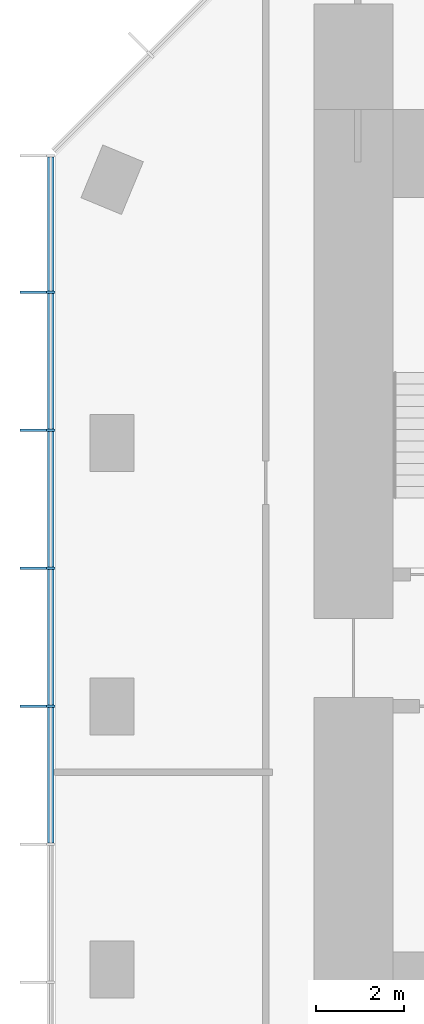
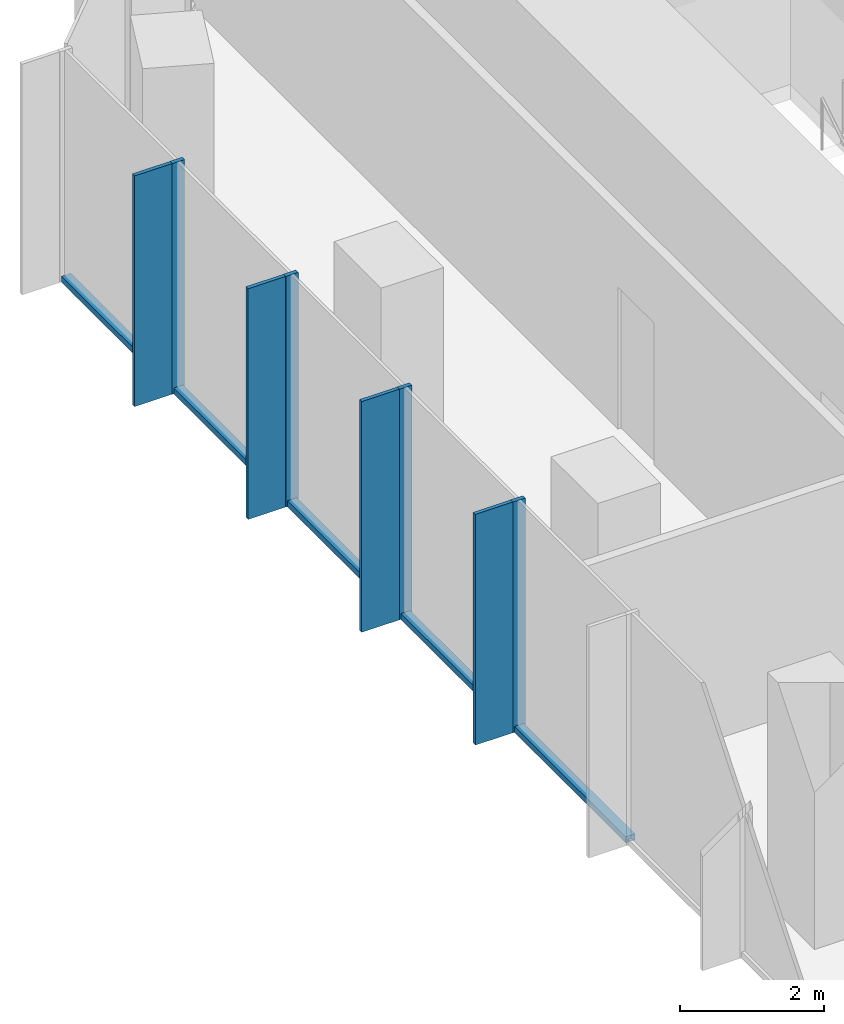
# One storey, part 3 of 11: 13 members, 1 element without a shape of its own.
"""IFC4 building model written with IfcOpenShell, lengths in metres."""

from ifc_helpers import new_model, si_unit, direction, frame, origin, origin_2d, place, context, subcontext, project, spatial, rectangle, extrude, material, layer, layer_set, material_profile, profile_set, type_object, element, aggregate, save


model = new_model("IFC4")

# Units and contexts
model_context = context("Model", 3, precision=1e-05, world=origin(), true_north=direction((0.0, 1.0)))
body_context = subcontext(model_context, "Body", "Model", "MODEL_VIEW")
ifc_project = project(units=[si_unit("LENGTHUNIT", "METRE"), si_unit("AREAUNIT", "SQUARE_METRE"), si_unit("VOLUMEUNIT", "CUBIC_METRE"), si_unit("PLANEANGLEUNIT", "RADIAN"), si_unit("MASSUNIT", "GRAM", prefix="KILO")], contexts=[model_context])

# Site, building, storey
site_placement = place(None, origin())
site = spatial("IfcSite", under=ifc_project, at=site_placement, CompositionType="ELEMENT")
building_placement = place(site_placement, origin())
building = spatial("IfcBuilding", under=site, at=building_placement, Name="Highveld Stack Headquarters", CompositionType="ELEMENT")
storey_placement = place(building_placement, frame((0.0, 0.0, 280.10009765625)))
storey = spatial("IfcBuildingStorey", under=building, at=storey_placement, Name="L69", CompositionType="ELEMENT", Elevation=280.10009765625)

# Curtain wall, members
ifc_material_1 = material(Name="Aluminium bronze anodised", Category="aluminium")
ifc_layer = layer(ifc_material_1, 0.199951171875)
ifc_layer_set = layer_set([ifc_layer], Name="Aluminium bronze anodised")
curtain_wall_type = type_object("IfcCurtainWallType", Name="CW5 EXECUTIVE UNITISED CURTAIN WALL", PredefinedType="NOTDEFINED", material=ifc_layer_set)
curtain_wall_placement = place(storey_placement, origin())
curtain_wall = element("IfcCurtainWall", 1, at=curtain_wall_placement, inside=storey, type_object=curtain_wall_type, Name="Curtain wall CW5 L69 W", PredefinedType="NOTDEFINED")
ifc_material_2 = material(Name="Aluminium bronze anodised", Category="aluminium")
ifc_material_profile_1 = material_profile(ifc_material_2, rectangle(XDim=0.60009765625, YDim=0.06005859375, at=origin_2d()), Name="FIN 600x60")
ifc_profile_set_1 = profile_set([ifc_material_profile_1], Name="Aluminium bronze anodised")
member_type_1 = type_object("IfcMemberType", Name="CW5 BRONZE FIN 600x60", PredefinedType="USERDEFINED", material=ifc_profile_set_1)
member_1_placement = place(storey_placement, frame((-13.800048828125, 9.434814453125, 0.0), z_axis=(0.0, 0.0, 1.0), x_axis=(1.0, 0.0, 0.0)))
member_1 = element("IfcMember", 2, at=member_1_placement, type_object=member_type_1, Name="CW5 fin L69 2", ObjectType="FIN", PredefinedType="USERDEFINED", context=body_context, shape_type="SweptSolid", body=[
    extrude(rectangle(XDim=0.60009765625, YDim=0.06005859375, at=origin_2d()), origin(), (0.0, 0.0, 1.0), 3.89990234375),
])
member_2_placement = place(storey_placement, frame((-13.800048828125, 6.2900390625, 0.0), z_axis=(0.0, 0.0, 1.0), x_axis=(1.0, 0.0, 0.0)))
member_2 = element("IfcMember", 3, at=member_2_placement, type_object=member_type_1, Name="CW5 fin L69 3", ObjectType="FIN", PredefinedType="USERDEFINED", context=body_context, shape_type="SweptSolid", body=[
    extrude(rectangle(XDim=0.60009765625, YDim=0.06005859375, at=origin_2d()), origin(), (0.0, 0.0, 1.0), 3.89990234375),
])
member_3_placement = place(storey_placement, frame((-13.800048828125, 3.14501953125, 0.0), z_axis=(0.0, 0.0, 1.0), x_axis=(1.0, 0.0, 0.0)))
member_3 = element("IfcMember", 4, at=member_3_placement, type_object=member_type_1, Name="CW5 fin L69 4", ObjectType="FIN", PredefinedType="USERDEFINED", context=body_context, shape_type="SweptSolid", body=[
    extrude(rectangle(XDim=0.60009765625, YDim=0.06005859375, at=origin_2d()), origin(), (0.0, 0.0, 1.0), 3.89990234375),
])
member_4_placement = place(storey_placement, frame((-13.800048828125, 0.0, 0.0), z_axis=(0.0, 0.0, 1.0), x_axis=(1.0, 0.0, 0.0)))
member_4 = element("IfcMember", 5, at=member_4_placement, type_object=member_type_1, Name="CW5 fin L69 5", ObjectType="FIN", PredefinedType="USERDEFINED", context=body_context, shape_type="SweptSolid", body=[
    extrude(rectangle(XDim=0.60009765625, YDim=0.06005859375, at=origin_2d()), origin(), (0.0, 0.0, 1.0), 3.89990234375),
])
ifc_material_3 = material(Name="Aluminium bronze anodised", Category="aluminium")
ifc_material_profile_2 = material_profile(ifc_material_3, rectangle(XDim=0.199951171875, YDim=0.06494140625, at=origin_2d()), Name="CW5 MULLION 65x200")
ifc_profile_set_2 = profile_set([ifc_material_profile_2], Name="Aluminium bronze anodised")
member_type_2 = type_object("IfcMemberType", Name="CW5 MULLION 65x200", PredefinedType="MULLION", material=ifc_profile_set_2)
member_5_placement = place(storey_placement, frame((-13.39990234375, 9.434814453125, 0.0), z_axis=(0.0, 0.0, 1.0), x_axis=(1.0, 0.0, 0.0)))
member_5 = element("IfcMember", 6, at=member_5_placement, type_object=member_type_2, Name="CW5 mullion L69 2", PredefinedType="MULLION", context=body_context, shape_type="SweptSolid", body=[
    extrude(rectangle(XDim=0.199951171875, YDim=0.06494140625, at=origin_2d()), origin(), (0.0, 0.0, 1.0), 3.89990234375),
])
member_6_placement = place(storey_placement, frame((-13.39990234375, 6.2900390625, 0.0), z_axis=(0.0, 0.0, 1.0), x_axis=(1.0, 0.0, 0.0)))
member_6 = element("IfcMember", 7, at=member_6_placement, type_object=member_type_2, Name="CW5 mullion L69 3", PredefinedType="MULLION", context=body_context, shape_type="SweptSolid", body=[
    extrude(rectangle(XDim=0.199951171875, YDim=0.06494140625, at=origin_2d()), origin(), (0.0, 0.0, 1.0), 3.89990234375),
])
member_7_placement = place(storey_placement, frame((-13.39990234375, 3.14501953125, 0.0), z_axis=(0.0, 0.0, 1.0), x_axis=(1.0, 0.0, 0.0)))
member_7 = element("IfcMember", 8, at=member_7_placement, type_object=member_type_2, Name="CW5 mullion L69 4", PredefinedType="MULLION", context=body_context, shape_type="SweptSolid", body=[
    extrude(rectangle(XDim=0.199951171875, YDim=0.06494140625, at=origin_2d()), origin(), (0.0, 0.0, 1.0), 3.89990234375),
])
member_8_placement = place(storey_placement, frame((-13.39990234375, 0.0, 0.0), z_axis=(0.0, 0.0, 1.0), x_axis=(1.0, 0.0, 0.0)))
member_8 = element("IfcMember", 9, at=member_8_placement, type_object=member_type_2, Name="CW5 mullion L69 5", PredefinedType="MULLION", context=body_context, shape_type="SweptSolid", body=[
    extrude(rectangle(XDim=0.199951171875, YDim=0.06494140625, at=origin_2d()), origin(), (0.0, 0.0, 1.0), 3.89990234375),
])
ifc_material_4 = material(Name="Aluminium bronze anodised", Category="aluminium")
ifc_material_profile_3 = material_profile(ifc_material_4, rectangle(XDim=0.14990234375, YDim=0.10009765625, at=origin_2d()), Name="CW5 TRANSOM 150x100")
ifc_profile_set_3 = profile_set([ifc_material_profile_3], Name="Aluminium bronze anodised")
member_type_3 = type_object("IfcMemberType", Name="CW5 STACK TRANSOM 150x100", PredefinedType="USERDEFINED", material=ifc_profile_set_3)
member_9_placement = place(storey_placement, frame((-13.39990234375, 12.514892578125, 0.0498046875), z_axis=(0.0, -1.0, 0.0), x_axis=(1.0, 0.0, 0.0)))
member_9 = element("IfcMember", 10, at=member_9_placement, type_object=member_type_3, Name="CW5 transom L69 1.1", ObjectType="TRANSOM", PredefinedType="USERDEFINED", context=body_context, shape_type="SweptSolid", body=[
    extrude(rectangle(XDim=0.14990234375, YDim=0.10009765625, at=origin_2d()), origin(), (0.0, 0.0, 1.0), 3.047607421875),
])
member_10_placement = place(storey_placement, frame((-13.39990234375, 9.40234375, 0.0498046875), z_axis=(0.0, -1.0, 0.0), x_axis=(1.0, 0.0, 0.0)))
member_10 = element("IfcMember", 11, at=member_10_placement, type_object=member_type_3, Name="CW5 transom L69 2.1", ObjectType="TRANSOM", PredefinedType="USERDEFINED", context=body_context, shape_type="SweptSolid", body=[
    extrude(rectangle(XDim=0.14990234375, YDim=0.10009765625, at=origin_2d()), origin(), (0.0, 0.0, 1.0), 3.079833984375),
])
member_11_placement = place(storey_placement, frame((-13.39990234375, 6.257568359375, 0.0498046875), z_axis=(0.0, -1.0, 0.0), x_axis=(1.0, 0.0, 0.0)))
member_11 = element("IfcMember", 12, at=member_11_placement, type_object=member_type_3, Name="CW5 transom L69 3.1", ObjectType="TRANSOM", PredefinedType="USERDEFINED", context=body_context, shape_type="SweptSolid", body=[
    extrude(rectangle(XDim=0.14990234375, YDim=0.10009765625, at=origin_2d()), origin(), (0.0, 0.0, 1.0), 3.080078125),
])
member_12_placement = place(storey_placement, frame((-13.39990234375, 3.112548828125, 0.0498046875), z_axis=(0.0, -1.0, 0.0), x_axis=(1.0, 0.0, 0.0)))
member_12 = element("IfcMember", 13, at=member_12_placement, type_object=member_type_3, Name="CW5 transom L69 4.1", ObjectType="TRANSOM", PredefinedType="USERDEFINED", context=body_context, shape_type="SweptSolid", body=[
    extrude(rectangle(XDim=0.14990234375, YDim=0.10009765625, at=origin_2d()), origin(), (0.0, 0.0, 1.0), 3.080078125),
])
member_13_placement = place(storey_placement, frame((-13.39990234375, -0.032470703125, 0.0498046875), z_axis=(0.0, -1.0, 0.0), x_axis=(1.0, 0.0, 0.0)))
member_13 = element("IfcMember", 14, at=member_13_placement, type_object=member_type_3, Name="CW5 transom L69 5.1", ObjectType="TRANSOM", PredefinedType="USERDEFINED", context=body_context, shape_type="SweptSolid", body=[
    extrude(rectangle(XDim=0.14990234375, YDim=0.10009765625, at=origin_2d()), origin(), (0.0, 0.0, 1.0), 3.080078125),
])
aggregate(curtain_wall, [member_5, member_1, member_6, member_2, member_7, member_3, member_8, member_4, member_9, member_10, member_11, member_12, member_13])

save(model, "model.ifc")
